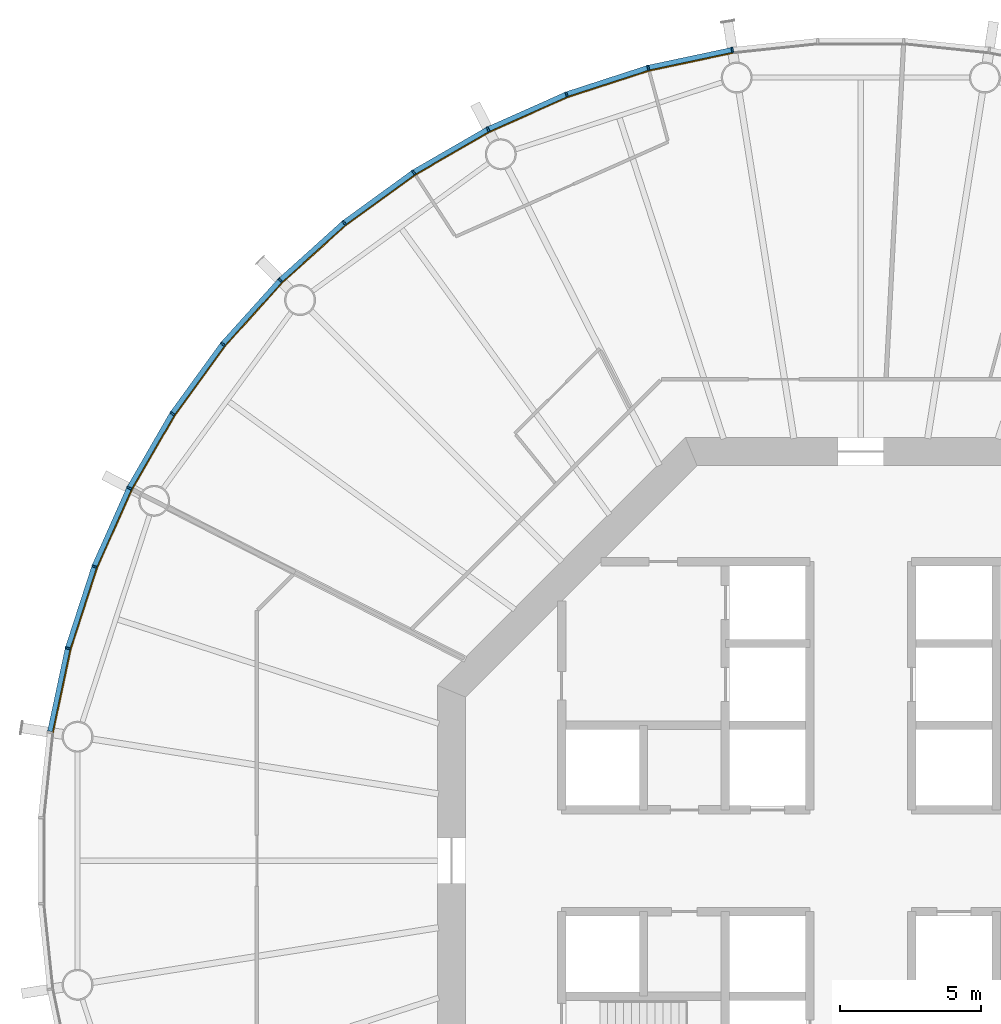
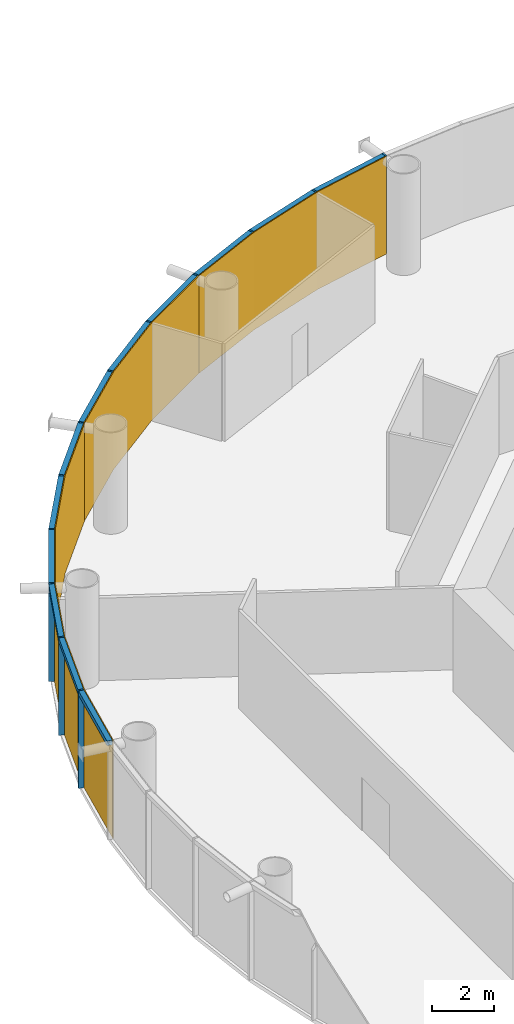
# One storey, part 14 of 17: 24 members, 4 curtain walls.
"""IFC4 building model written with IfcOpenShell, lengths in metres."""

import ifcopenshell
import ifcopenshell.guid

model = None  # the IFC model being written
_history = None  # IfcOwnerHistory: only IFC2X3 demands one
_inside = {}  # id of a spatial element -> (the spatial element, [elements in it])
_under = {}  # id of a project, library or spatial element -> (it, [spatial elements below it])
_declared = {}  # id of a project -> (the project, [libraries it declares])
_typed = {}  # id of a type object -> (the type object, [elements of that type])
_made_of = {}  # id of a material, layer set ... -> (it, [elements and type objects made of it])


def new_model(schema):
    """Start an empty IFC model of exactly this schema.

    Asked for "IFC4X3", IfcOpenShell would pick the latest addendum, in which some entities
    have other attributes; the version numbers below select the first issue.
    IFC2X3 requires an IfcOwnerHistory on every rooted entity: one is made here for all.
    """
    global model, _history
    if schema == "IFC4X3":
        model = ifcopenshell.file(schema_version=(4, 3, 0, 0))
    else:
        model = ifcopenshell.file(schema=schema)
    _inside.clear()
    _under.clear()
    _declared.clear()
    _typed.clear()
    _made_of.clear()
    _history = None
    if model.schema == "IFC2X3":
        org = make("IfcOrganization", Name="unknown")
        user = make(
            "IfcPersonAndOrganization",
            ThePerson=make("IfcPerson", FamilyName="unknown"),
            TheOrganization=org,
        )
        app = make(
            "IfcApplication",
            ApplicationDeveloper=org,
            Version="unknown",
            ApplicationFullName="unknown",
            ApplicationIdentifier="unknown",
        )
        _history = make(
            "IfcOwnerHistory",
            OwningUser=user,
            OwningApplication=app,
            ChangeAction="ADDED",
            CreationDate=0,
        )
    return model


def make(cls, **values):
    """One entity of the class cls with the attributes given. An attribute that is None is left unset."""
    return model.create_entity(
        cls, **{name: value for name, value in values.items() if value is not None}
    )


def rooted(cls, **values):
    """An entity with a GlobalId (a new one), such as an element, a storey or a relation."""
    return make(cls, GlobalId=ifcopenshell.guid.new(), OwnerHistory=_history, **values)


def si_unit(unit_type, name, prefix=None):
    """IfcSIUnit, for example si_unit("LENGTHUNIT", "METRE", prefix="MILLI")."""
    return make("IfcSIUnit", UnitType=unit_type, Prefix=prefix, Name=name)


def assignment(units):
    """IfcUnitAssignment: the units of a project."""
    return None if units is None else make("IfcUnitAssignment", Units=units)


def point(xyz):
    """IfcCartesianPoint."""
    return None if xyz is None else make("IfcCartesianPoint", Coordinates=xyz)


def direction(xyz):
    """IfcDirection."""
    return None if xyz is None else make("IfcDirection", DirectionRatios=xyz)


def frame(location, z_axis=None, x_axis=None):
    """IfcAxis2Placement3D, a coordinate frame: its origin and axes. An axis left out is left unset."""
    return make(
        "IfcAxis2Placement3D",
        Location=point(location),
        Axis=direction(z_axis),
        RefDirection=direction(x_axis),
    )


def frame_2d(location, x_axis=None):
    """IfcAxis2Placement2D, a coordinate frame in the plane: its origin and x axis."""
    return make(
        "IfcAxis2Placement2D", Location=point(location), RefDirection=direction(x_axis)
    )


def origin():
    """The frame at (0, 0, 0) with its axes left unset."""
    return frame((0.0, 0.0, 0.0))


def origin_2d():
    """The frame at (0, 0) in the plane with its x axis left unset."""
    return frame_2d((0.0, 0.0))


def place(relative_to, where):
    """IfcLocalPlacement: puts the frame where relative to a parent placement (None: the world)."""
    return make(
        "IfcLocalPlacement", PlacementRelTo=relative_to, RelativePlacement=where
    )


def context(
    kind, dimensions, precision=None, world=None, true_north=None, identifier=None
):
    """IfcGeometricRepresentationContext, for example the 3D "Model" context."""
    return make(
        "IfcGeometricRepresentationContext",
        ContextIdentifier=identifier,
        ContextType=kind,
        CoordinateSpaceDimension=dimensions,
        Precision=precision,
        WorldCoordinateSystem=world,
        TrueNorth=true_north,
    )


def subcontext(parent, identifier, kind, view, scale=None):
    """IfcGeometricRepresentationSubContext, for example "Body" below "Model"."""
    return make(
        "IfcGeometricRepresentationSubContext",
        ContextIdentifier=identifier,
        ContextType=kind,
        ParentContext=parent,
        TargetScale=scale,
        TargetView=view,
    )


def project(units=None, contexts=None):
    """IfcProject with its units and contexts."""
    return rooted(
        "IfcProject",
        Name="project",
        RepresentationContexts=contexts,
        UnitsInContext=assignment(units),
    )


def spatial(cls, under=None, at=None, **own):
    """A site, building, storey or space (cls), placed at a placement, below another one or the project."""
    s = rooted(cls, ObjectPlacement=at, **own)
    if under is not None:
        _under.setdefault(under.id(), (under, []))[1].append(s)
    return s


def polyline(points):
    """IfcPolyline through the points."""
    return make("IfcPolyline", Points=[point(p) for p in points])


def profile(cls, at=None, kind="AREA", **sizes):
    """A parametric profile (cls). Its sizes go by their IFC names, for example OverallWidth=200.0."""
    return make(cls, ProfileType=kind, Position=at, **sizes)


def rectangle(**sizes):
    """IfcRectangleProfileDef."""
    return profile("IfcRectangleProfileDef", **sizes)


def outline(outer, holes=None, kind="AREA"):
    """IfcArbitraryClosedProfileDef: a profile drawn as a closed curve; with holes, ...WithVoids."""
    if holes is None:
        return make("IfcArbitraryClosedProfileDef", ProfileType=kind, OuterCurve=outer)
    return make(
        "IfcArbitraryProfileDefWithVoids",
        ProfileType=kind,
        OuterCurve=outer,
        InnerCurves=holes,
    )


def extrude(swept, where, along, depth):
    """IfcExtrudedAreaSolid: the profile swept, set in the frame where, extruded along a direction by depth."""
    return make(
        "IfcExtrudedAreaSolid",
        SweptArea=swept,
        Position=where,
        ExtrudedDirection=direction(along),
        Depth=depth,
    )


def shape(context_of_items, identifier, shape_type, items):
    """IfcShapeRepresentation: the items that make up one representation, for example the "Body"."""
    return make(
        "IfcShapeRepresentation",
        ContextOfItems=context_of_items,
        RepresentationIdentifier=identifier,
        RepresentationType=shape_type,
        Items=items,
    )


def material(Name=None, Category=None):
    """IfcMaterial."""
    return make("IfcMaterial", Name=Name, Category=Category)


def layer(
    of_material, thickness, ventilated=None, Name=None, Category=None, Priority=None
):
    """IfcMaterialLayer: one layer of a wall or slab, of a material (None: an air gap)."""
    return make(
        "IfcMaterialLayer",
        Material=of_material,
        LayerThickness=thickness,
        IsVentilated=ventilated,
        Name=Name,
        Category=Category,
        Priority=Priority,
    )


def layer_set(layers, Name=None):
    """IfcMaterialLayerSet."""
    return make("IfcMaterialLayerSet", MaterialLayers=layers, LayerSetName=Name)


def material_profile(
    of_material, cross_section, Name=None, Category=None, Priority=None
):
    """IfcMaterialProfile: a cross section and its material."""
    return make(
        "IfcMaterialProfile",
        Name=Name,
        Material=of_material,
        Profile=cross_section,
        Priority=Priority,
        Category=Category,
    )


def profile_set(profiles, Name=None, composite=None):
    """IfcMaterialProfileSet."""
    return make(
        "IfcMaterialProfileSet",
        Name=Name,
        MaterialProfiles=profiles,
        CompositeProfile=composite,
    )


def made_of(thing, what):
    """Note that an element or type object is made of a material, layer set ...; save() writes the relation."""
    if what is not None:
        _made_of.setdefault(what.id(), (what, []))[1].append(thing)
    return thing


def type_object(cls, material=None, **own):
    """A type object (cls), such as IfcWallType, which elements share."""
    return made_of(rooted(cls, **own), material)


def element(
    cls,
    number,
    at=None,
    inside=None,
    cuts=None,
    type_object=None,
    material=None,
    context=None,
    identifier="Body",
    shape_type=None,
    held_by="IfcProductDefinitionShape",
    body=None,
    shapes=None,
    **own,
):
    """One element of the class cls, such as IfcWall. Its Tag is "e" and its number.

    at: its placement. inside: the storey or other place that contains it. cuts: it is an
    opening in that element (IfcRelVoidsElement). A single representation is given by context,
    identifier, shape_type and body (its items); several are given by shapes. held_by: the class
    of the entity that holds the representations. save() writes the other relations.
    """
    e = rooted(cls, Tag="e%d" % number, ObjectPlacement=at, **own)
    if body is not None:
        shapes = [shape(context, identifier, shape_type, body)]
    if shapes is not None:
        e.Representation = make(held_by, Representations=shapes)
    if inside is not None:
        _inside.setdefault(inside.id(), (inside, []))[1].append(e)
    if cuts is not None:
        rooted(
            "IfcRelVoidsElement", RelatingBuildingElement=cuts, RelatedOpeningElement=e
        )
    if type_object is not None:
        _typed.setdefault(type_object.id(), (type_object, []))[1].append(e)
    return made_of(e, material)


def aggregate(whole, parts):
    """IfcRelAggregates: a whole, such as a stair, and the parts it consists of."""
    return rooted("IfcRelAggregates", RelatingObject=whole, RelatedObjects=parts)


def save(model, path):
    """Write the relations noted so far, then the file.

    IfcRelAggregates (storeys below a building ...), IfcRelContainedInSpatialStructure (elements
    in a storey), IfcRelDefinesByType, IfcRelAssociatesMaterial and IfcRelDeclares: one each for
    every whole, place, type object, material and project.
    """
    for whole, parts in _under.values():
        aggregate(whole, parts)
    for where, things in _inside.values():
        rooted(
            "IfcRelContainedInSpatialStructure",
            RelatedElements=things,
            RelatingStructure=where,
        )
    for kind, things in _typed.values():
        rooted("IfcRelDefinesByType", RelatedObjects=things, RelatingType=kind)
    for what, things in _made_of.values():
        rooted("IfcRelAssociatesMaterial", RelatedObjects=things, RelatingMaterial=what)
    for by, libraries in _declared.values():
        rooted("IfcRelDeclares", RelatingContext=by, RelatedDefinitions=libraries)
    model.write(path)


model = new_model("IFC4")

# Units and contexts
model_context = context("Model", 3, precision=1e-05, world=origin(), true_north=direction((0.0, 1.0)))
body_context = subcontext(model_context, "Body", "Model", "MODEL_VIEW")
ifc_project = project(units=[si_unit("LENGTHUNIT", "METRE"), si_unit("AREAUNIT", "SQUARE_METRE"), si_unit("VOLUMEUNIT", "CUBIC_METRE"), si_unit("PLANEANGLEUNIT", "RADIAN"), si_unit("MASSUNIT", "GRAM", prefix="KILO")], contexts=[model_context])

# Member
ifc_material_1 = material(Name="Anodised aluminium", Category="aluminium")
ifc_material_profile_1 = material_profile(ifc_material_1, rectangle(XDim=0.06494140625, YDim=0.18505859375, at=origin_2d()), Name="Mullion 65 x 185 mm anodised aluminium")
ifc_profile_set_1 = profile_set([ifc_material_profile_1], Name="Anodised aluminium")
member_type_1 = type_object("IfcMemberType", Name="Mullion 65 x 185 mm anodised aluminium", PredefinedType="MULLION", material=ifc_profile_set_1)
site_placement = place(None, origin())
building_placement = place(site_placement, origin())
storey_placement = place(building_placement, frame((0.0, 0.0, 176.0)))
member_1_placement = place(storey_placement, frame((85.448974609375, 108.734375, 0.0), z_axis=(0.0, 0.0, 1.0), x_axis=(-0.987688340595, -0.15643446504, 0.0)))
member_1 = element("IfcMember", 1, at=member_1_placement, type_object=member_type_1, Name="MULLION L40-15", PredefinedType="MULLION", context=body_context, shape_type="SweptSolid", body=[
    extrude(rectangle(XDim=0.06494140625, YDim=0.18505859375, at=origin_2d()), origin(), (0.0, 0.0, 1.0), 3.85009765625),
])

member_2_placement = place(storey_placement, frame((82.47021484375, 108.101318359375, 0.0), z_axis=(0.0, 0.0, 1.0), x_axis=(-0.965925826289, -0.258819045103, 0.0)))
member_2 = element("IfcMember", 2, at=member_2_placement, type_object=member_type_1, Name="MULLION L40-16", PredefinedType="MULLION", context=body_context, shape_type="SweptSolid", body=[
    extrude(rectangle(XDim=0.06494140625, YDim=0.18505859375, at=origin_2d()), origin(), (0.0, 0.0, 1.0), 3.85009765625),
])

member_3_placement = place(storey_placement, frame((79.57421875, 107.16015625, 0.0), z_axis=(0.0, 0.0, 1.0), x_axis=(-0.933580426497, -0.358367949545, 0.0)))
member_3 = element("IfcMember", 3, at=member_3_placement, type_object=member_type_1, Name="MULLION L40-17", PredefinedType="MULLION", context=body_context, shape_type="SweptSolid", body=[
    extrude(rectangle(XDim=0.06494140625, YDim=0.18505859375, at=origin_2d()), origin(), (0.0, 0.0, 1.0), 3.85009765625),
])

member_4_placement = place(storey_placement, frame((76.792236328125, 105.921630859375, 0.0), z_axis=(0.0, 0.0, 1.0), x_axis=(-0.891006524188, -0.45399049974, 0.0)))
member_4 = element("IfcMember", 4, at=member_4_placement, type_object=member_type_1, Name="MULLION L40-18", PredefinedType="MULLION", context=body_context, shape_type="SweptSolid", body=[
    extrude(rectangle(XDim=0.06494140625, YDim=0.18505859375, at=origin_2d()), origin(), (0.0, 0.0, 1.0), 3.85009765625),
])

member_5_placement = place(storey_placement, frame((74.155029296875, 104.39892578125, 0.0), z_axis=(0.0, 0.0, 1.0), x_axis=(-0.838670567945, -0.544639035015, 0.0)))
member_5 = element("IfcMember", 5, at=member_5_placement, type_object=member_type_1, Name="MULLION L40-19", PredefinedType="MULLION", context=body_context, shape_type="SweptSolid", body=[
    extrude(rectangle(XDim=0.06494140625, YDim=0.18505859375, at=origin_2d()), origin(), (0.0, 0.0, 1.0), 3.85009765625),
])

member_6_placement = place(storey_placement, frame((71.69140625, 102.609130859375, 0.0), z_axis=(0.0, 0.0, 1.0), x_axis=(-0.777145961457, -0.62932039105, 0.0)))
member_6 = element("IfcMember", 6, at=member_6_placement, type_object=member_type_1, Name="MULLION L40-20", PredefinedType="MULLION", context=body_context, shape_type="SweptSolid", body=[
    extrude(rectangle(XDim=0.06494140625, YDim=0.18505859375, at=origin_2d()), origin(), (0.0, 0.0, 1.0), 3.85009765625),
])

member_7_placement = place(storey_placement, frame((69.428466796875, 100.571533203125, 0.0), z_axis=(0.0, 0.0, 1.0), x_axis=(-0.707106781187, -0.707106781187, 0.0)))
member_7 = element("IfcMember", 7, at=member_7_placement, type_object=member_type_1, Name="MULLION L40-21", PredefinedType="MULLION", context=body_context, shape_type="SweptSolid", body=[
    extrude(rectangle(XDim=0.06494140625, YDim=0.18505859375, at=origin_2d()), origin(), (0.0, 0.0, 1.0), 3.85009765625),
])

member_8_placement = place(storey_placement, frame((67.390869140625, 98.30859375, 0.0), z_axis=(0.0, 0.0, 1.0), x_axis=(-0.62932039105, -0.777145961457, 0.0)))
member_8 = element("IfcMember", 8, at=member_8_placement, type_object=member_type_1, Name="MULLION L40-22", PredefinedType="MULLION", context=body_context, shape_type="SweptSolid", body=[
    extrude(rectangle(XDim=0.06494140625, YDim=0.18505859375, at=origin_2d()), origin(), (0.0, 0.0, 1.0), 3.85009765625),
])

member_9_placement = place(storey_placement, frame((65.60107421875, 95.844970703125, 0.0), z_axis=(0.0, 0.0, 1.0), x_axis=(-0.544639035015, -0.838670567945, 0.0)))
member_9 = element("IfcMember", 9, at=member_9_placement, type_object=member_type_1, Name="MULLION L40-23", PredefinedType="MULLION", context=body_context, shape_type="SweptSolid", body=[
    extrude(rectangle(XDim=0.06494140625, YDim=0.18505859375, at=origin_2d()), origin(), (0.0, 0.0, 1.0), 3.85009765625),
])

member_10_placement = place(storey_placement, frame((64.078369140625, 93.207763671875, 0.0), z_axis=(0.0, 0.0, 1.0), x_axis=(-0.45399049974, -0.891006524188, 0.0)))
member_10 = element("IfcMember", 10, at=member_10_placement, type_object=member_type_1, Name="MULLION L40-24", PredefinedType="MULLION", context=body_context, shape_type="SweptSolid", body=[
    extrude(rectangle(XDim=0.06494140625, YDim=0.18505859375, at=origin_2d()), origin(), (0.0, 0.0, 1.0), 3.85009765625),
])

member_11_placement = place(storey_placement, frame((62.83984375, 90.42578125, 0.0), z_axis=(0.0, 0.0, 1.0), x_axis=(-0.358367949545, -0.933580426497, 0.0)))
member_11 = element("IfcMember", 11, at=member_11_placement, type_object=member_type_1, Name="MULLION L40-25", PredefinedType="MULLION", context=body_context, shape_type="SweptSolid", body=[
    extrude(rectangle(XDim=0.06494140625, YDim=0.18505859375, at=origin_2d()), origin(), (0.0, 0.0, 1.0), 3.85009765625),
])

member_12_placement = place(storey_placement, frame((61.898681640625, 87.52978515625, 0.0), z_axis=(0.0, 0.0, 1.0), x_axis=(-0.258819045103, -0.965925826289, 0.0)))
member_12 = element("IfcMember", 12, at=member_12_placement, type_object=member_type_1, Name="MULLION L40-26", PredefinedType="MULLION", context=body_context, shape_type="SweptSolid", body=[
    extrude(rectangle(XDim=0.06494140625, YDim=0.18505859375, at=origin_2d()), origin(), (0.0, 0.0, 1.0), 3.85009765625),
])

ifc_material_2 = material(Name="Anodised aluminium", Category="aluminium")
ifc_material_profile_2 = material_profile(ifc_material_2, rectangle(XDim=0.18505859375, YDim=0.175048828125, at=origin_2d()), Name="Transom 175 x 185 mm anodised aluminium")
ifc_profile_set_2 = profile_set([ifc_material_profile_2], Name="Anodised aluminium")
member_type_2 = type_object("IfcMemberType", Name="Transom 175 x 185 mm anodised aluminium", PredefinedType="USERDEFINED", material=ifc_profile_set_2)
member_13_placement = place(storey_placement, frame((85.412353515625, 108.7265625, 3.762451171875), z_axis=(-0.97815822425, -0.207861704825, 0.0), x_axis=(0.207861704825, -0.97815822425, 0.0)))
member_13 = element("IfcMember", 13, at=member_13_placement, type_object=member_type_2, Name="TRANSOM L40-15", ObjectType="TRANSOM", PredefinedType="USERDEFINED", context=body_context, shape_type="SweptSolid", body=[
    extrude(rectangle(XDim=0.18505859375, YDim=0.175048828125, at=origin_2d()), origin(), (0.0, 0.0, 1.0), 2.970458984375),
])

member_14_placement = place(storey_placement, frame((82.434814453125, 108.08984375, 3.762451171875), z_axis=(-0.951055809184, -0.30901917063, 0.0), x_axis=(0.30901917063, -0.951055809184, 0.0)))
member_14 = element("IfcMember", 14, at=member_14_placement, type_object=member_type_2, Name="TRANSOM L40-16", ObjectType="TRANSOM", PredefinedType="USERDEFINED", context=body_context, shape_type="SweptSolid", body=[
    extrude(rectangle(XDim=0.18505859375, YDim=0.175048828125, at=origin_2d()), origin(), (0.0, 0.0, 1.0), 2.970703125),
])

member_15_placement = place(storey_placement, frame((79.5400390625, 107.14501953125, 3.762451171875), z_axis=(-0.913567348806, -0.406687471156, 0.0), x_axis=(0.406687471156, -0.913567348806, 0.0)))
member_15 = element("IfcMember", 15, at=member_15_placement, type_object=member_type_2, Name="TRANSOM L40-17", ObjectType="TRANSOM", PredefinedType="USERDEFINED", context=body_context, shape_type="SweptSolid", body=[
    extrude(rectangle(XDim=0.18505859375, YDim=0.175048828125, at=origin_2d()), origin(), (0.0, 0.0, 1.0), 2.970458984375),
])

member_16_placement = place(storey_placement, frame((76.759765625, 105.903076171875, 3.762451171875), z_axis=(-0.866009025146, -0.500028367561, 0.0), x_axis=(0.500028367561, -0.866009025146, 0.0)))
member_16 = element("IfcMember", 16, at=member_16_placement, type_object=member_type_2, Name="TRANSOM L40-18", ObjectType="TRANSOM", PredefinedType="USERDEFINED", context=body_context, shape_type="SweptSolid", body=[
    extrude(rectangle(XDim=0.18505859375, YDim=0.175048828125, at=origin_2d()), origin(), (0.0, 0.0, 1.0), 2.970458984375),
])

member_17_placement = place(storey_placement, frame((74.124755859375, 104.377197265625, 3.762451171875), z_axis=(-0.808991906087, -0.587819781808, 0.0), x_axis=(0.587819781808, -0.808991906087, 0.0)))
member_17 = element("IfcMember", 17, at=member_17_placement, type_object=member_type_2, Name="TRANSOM L40-19", ObjectType="TRANSOM", PredefinedType="USERDEFINED", context=body_context, shape_type="SweptSolid", body=[
    extrude(rectangle(XDim=0.18505859375, YDim=0.175048828125, at=origin_2d()), origin(), (0.0, 0.0, 1.0), 2.970458984375),
])

member_18_placement = place(storey_placement, frame((71.66357421875, 102.584228515625, 3.762451171875), z_axis=(-0.743163354343, -0.669110027395, 0.0), x_axis=(0.669110027395, -0.743163354343, 0.0)))
member_18 = element("IfcMember", 18, at=member_18_placement, type_object=member_type_2, Name="TRANSOM L40-20", ObjectType="TRANSOM", PredefinedType="USERDEFINED", context=body_context, shape_type="SweptSolid", body=[
    extrude(rectangle(XDim=0.18505859375, YDim=0.175048828125, at=origin_2d()), origin(), (0.0, 0.0, 1.0), 2.970458984375),
])

member_19_placement = place(storey_placement, frame((69.4033203125, 100.5439453125, 3.762451171875), z_axis=(-0.669110027395, -0.743163354343, 0.0), x_axis=(0.743163354343, -0.669110027395, 0.0)))
member_19 = element("IfcMember", 19, at=member_19_placement, type_object=member_type_2, Name="TRANSOM L40-21", ObjectType="TRANSOM", PredefinedType="USERDEFINED", context=body_context, shape_type="SweptSolid", body=[
    extrude(rectangle(XDim=0.18505859375, YDim=0.175048828125, at=origin_2d()), origin(), (0.0, 0.0, 1.0), 2.970458984375),
])

member_20_placement = place(storey_placement, frame((67.368896484375, 98.2783203125, 3.762451171875), z_axis=(-0.587819781808, -0.808991906087, 0.0), x_axis=(0.808991906087, -0.587819781808, 0.0)))
member_20 = element("IfcMember", 20, at=member_20_placement, type_object=member_type_2, Name="TRANSOM L40-22", ObjectType="TRANSOM", PredefinedType="USERDEFINED", context=body_context, shape_type="SweptSolid", body=[
    extrude(rectangle(XDim=0.18505859375, YDim=0.175048828125, at=origin_2d()), origin(), (0.0, 0.0, 1.0), 2.970458984375),
])

member_21_placement = place(storey_placement, frame((65.582275390625, 95.812744140625, 3.762451171875), z_axis=(-0.500028367561, -0.866009025146, 0.0), x_axis=(0.866009025146, -0.500028367561, 0.0)))
member_21 = element("IfcMember", 21, at=member_21_placement, type_object=member_type_2, Name="TRANSOM L40-23", ObjectType="TRANSOM", PredefinedType="USERDEFINED", context=body_context, shape_type="SweptSolid", body=[
    extrude(rectangle(XDim=0.18505859375, YDim=0.175048828125, at=origin_2d()), origin(), (0.0, 0.0, 1.0), 2.970458984375),
])

member_22_placement = place(storey_placement, frame((64.06298828125, 93.173583984375, 3.762451171875), z_axis=(-0.406687471156, -0.913567348806, 0.0), x_axis=(0.913567348806, -0.406687471156, 0.0)))
member_22 = element("IfcMember", 22, at=member_22_placement, type_object=member_type_2, Name="TRANSOM L40-24", ObjectType="TRANSOM", PredefinedType="USERDEFINED", context=body_context, shape_type="SweptSolid", body=[
    extrude(rectangle(XDim=0.18505859375, YDim=0.175048828125, at=origin_2d()), origin(), (0.0, 0.0, 1.0), 2.970458984375),
])

member_23_placement = place(storey_placement, frame((62.828125, 90.390380859375, 3.762451171875), z_axis=(-0.30901917063, -0.951055809184, 0.0), x_axis=(0.951055809184, -0.30901917063, 0.0)))
member_23 = element("IfcMember", 23, at=member_23_placement, type_object=member_type_2, Name="TRANSOM L40-25", ObjectType="TRANSOM", PredefinedType="USERDEFINED", context=body_context, shape_type="SweptSolid", body=[
    extrude(rectangle(XDim=0.18505859375, YDim=0.175048828125, at=origin_2d()), origin(), (0.0, 0.0, 1.0), 2.970703125),
])

member_24_placement = place(storey_placement, frame((61.890869140625, 87.4931640625, 3.762451171875), z_axis=(-0.207861704825, -0.97815822425, 0.0), x_axis=(0.97815822425, -0.207861704825, 0.0)))
member_24 = element("IfcMember", 24, at=member_24_placement, type_object=member_type_2, Name="TRANSOM L40-26", ObjectType="TRANSOM", PredefinedType="USERDEFINED", context=body_context, shape_type="SweptSolid", body=[
    extrude(rectangle(XDim=0.18505859375, YDim=0.175048828125, at=origin_2d()), origin(), (0.0, 0.0, 1.0), 2.970458984375),
])

# Site, building, storey
site = spatial("IfcSite", under=ifc_project, at=site_placement, CompositionType="ELEMENT")
building = spatial("IfcBuilding", under=site, at=building_placement, Name="Entoto Ring Tower", CompositionType="ELEMENT")
storey = spatial("IfcBuildingStorey", under=building, at=storey_placement, Name="L40", CompositionType="ELEMENT", Elevation=176.0)

# Curtain wall
ifc_material_3 = material(Name="Clear low-iron glass", Category="glass")
ifc_layer = layer(ifc_material_3, 0.033935546875)
ifc_layer_set = layer_set([ifc_layer], Name="Clear low-iron glass")
curtain_wall_type = type_object("IfcCurtainWallType", Name="Curtain wall system CW3 glazing 34 mm", PredefinedType="NOTDEFINED", material=ifc_layer_set)
curtain_wall_1_placement = place(storey_placement, origin())
curtain_wall_1 = element("IfcCurtainWall", 25, at=curtain_wall_1_placement, inside=storey, type_object=curtain_wall_type, Name="CW3 L40-06", PredefinedType="NOTDEFINED", context=body_context, shape_type="SweptSolid", body=[
    extrude(outline(polyline([(85.46337890625, 108.64306640625), (82.494140625, 108.011962890625), (79.607421875, 107.07373046875), (76.834228515625, 105.839111328125), (76.849853515625, 105.808837890625), (79.61962890625, 107.0419921875), (82.503173828125, 107.97900390625), (85.46875, 108.609375), (85.46337890625, 108.64306640625)])), origin(), (0.0, 0.0, 1.0), 3.85009765625),
])

aggregate(curtain_wall_1, [member_1, member_2, member_3, member_13, member_14, member_15])

curtain_wall_2_placement = place(storey_placement, origin())
curtain_wall_2 = element("IfcCurtainWall", 26, at=curtain_wall_2_placement, inside=storey, type_object=curtain_wall_type, Name="CW3 L40-07", PredefinedType="NOTDEFINED", context=body_context, shape_type="SweptSolid", body=[
    extrude(outline(polyline([(76.834228515625, 105.839111328125), (74.20556640625, 104.321533203125), (71.749755859375, 102.537353515625), (69.493896484375, 100.506103515625), (69.51806640625, 100.48193359375), (71.771240234375, 102.5107421875), (74.22412109375, 104.29296875), (76.849853515625, 105.808837890625), (76.834228515625, 105.839111328125)])), origin(), (0.0, 0.0, 1.0), 3.85009765625),
])

aggregate(curtain_wall_2, [member_4, member_5, member_6, member_16, member_17, member_18])

curtain_wall_3_placement = place(storey_placement, origin())
curtain_wall_3 = element("IfcCurtainWall", 27, at=curtain_wall_3_placement, inside=storey, type_object=curtain_wall_type, Name="CW3 L40-08", PredefinedType="NOTDEFINED", context=body_context, shape_type="SweptSolid", body=[
    extrude(outline(polyline([(69.493896484375, 100.506103515625), (67.462646484375, 98.250244140625), (65.678466796875, 95.79443359375), (64.160888671875, 93.165771484375), (64.191162109375, 93.150146484375), (65.70703125, 95.77587890625), (67.4892578125, 98.228759765625), (69.51806640625, 100.48193359375), (69.493896484375, 100.506103515625)])), origin(), (0.0, 0.0, 1.0), 3.85009765625),
])

aggregate(curtain_wall_3, [member_7, member_8, member_9, member_19, member_20, member_21])

curtain_wall_4_placement = place(storey_placement, origin())
curtain_wall_4 = element("IfcCurtainWall", 28, at=curtain_wall_4_placement, inside=storey, type_object=curtain_wall_type, Name="CW3 L40-09", PredefinedType="NOTDEFINED", context=body_context, shape_type="SweptSolid", body=[
    extrude(outline(polyline([(64.160888671875, 93.165771484375), (62.92626953125, 90.392578125), (61.988037109375, 87.505859375), (61.35693359375, 84.53662109375), (61.390625, 84.53125), (62.02099609375, 87.496826171875), (62.9580078125, 90.38037109375), (64.191162109375, 93.150146484375), (64.160888671875, 93.165771484375)])), origin(), (0.0, 0.0, 1.0), 3.85009765625),
])

aggregate(curtain_wall_4, [member_10, member_11, member_12, member_22, member_23, member_24])

save(model, "model.ifc")
